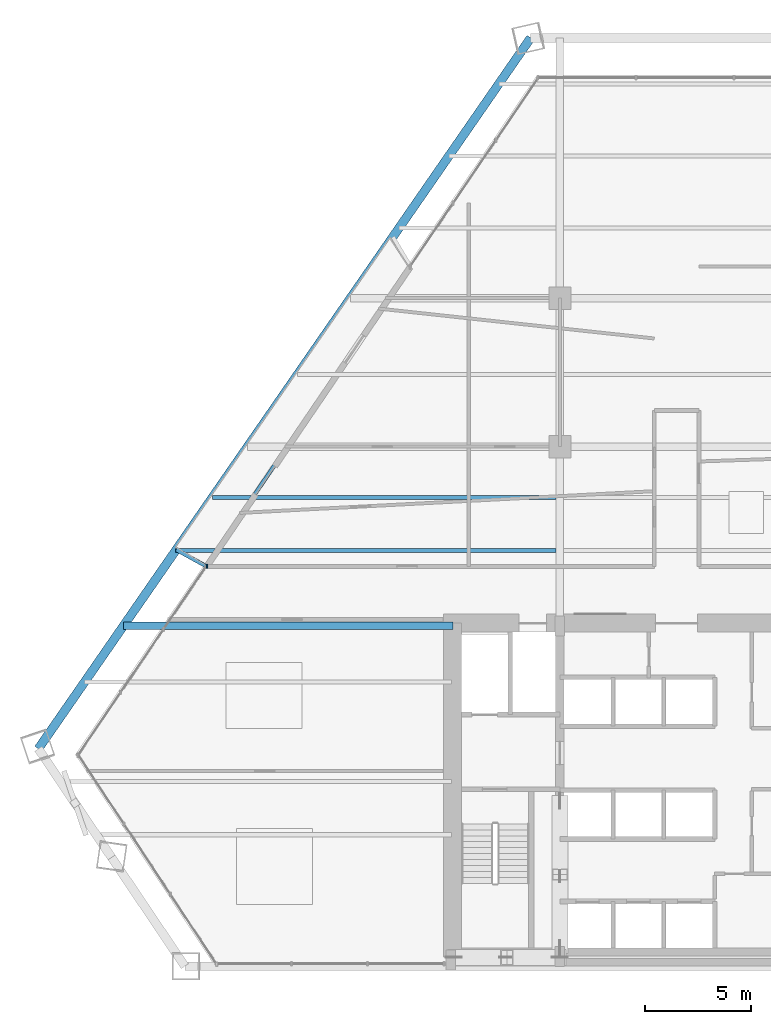
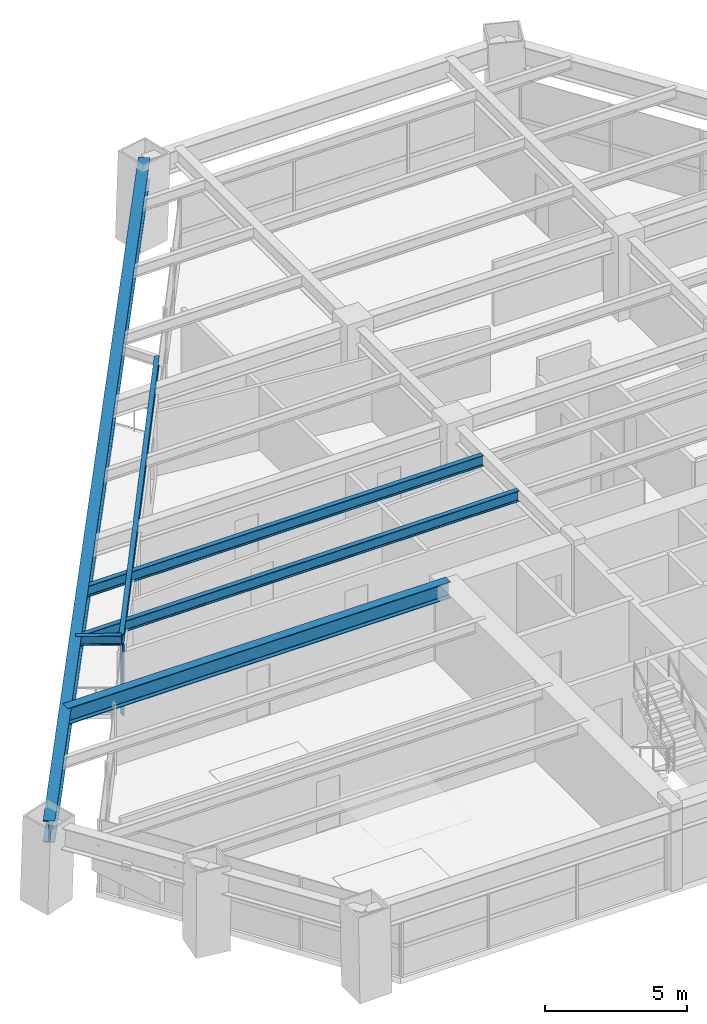
# One storey, part 4 of 14: 6 beams, 1 member, 1 element without a shape of its own.
"""IFC4 building model written with IfcOpenShell, lengths in metres."""

from ifc_helpers import new_model, si_unit, direction, frame, origin, origin_2d, place, context, subcontext, project, spatial, rectangle, i_section, extrude, source, transform, mapped, material, material_profile, profile_set, type_object, type_shapes, element, aggregate, save


model = new_model("IFC4")

# Units and contexts
model_context = context("Model", 3, precision=1e-05, world=origin(), true_north=direction((0.0, 1.0)))
body_context = subcontext(model_context, "Body", "Model", "MODEL_VIEW")
ifc_project = project(units=[si_unit("LENGTHUNIT", "METRE"), si_unit("AREAUNIT", "SQUARE_METRE"), si_unit("VOLUMEUNIT", "CUBIC_METRE"), si_unit("PLANEANGLEUNIT", "RADIAN"), si_unit("MASSUNIT", "GRAM", prefix="KILO")], contexts=[model_context])

# Site, building, storey
site_placement = place(None, origin())
site = spatial("IfcSite", under=ifc_project, at=site_placement, CompositionType="ELEMENT")
building_placement = place(site_placement, origin())
building = spatial("IfcBuilding", under=site, at=building_placement, Name="Varnakhor Terracotta Tower", CompositionType="ELEMENT")
storey_placement = place(building_placement, frame((0.0, 0.0, 64.5)))
storey = spatial("IfcBuildingStorey", under=building, at=storey_placement, Name="L15", CompositionType="ELEMENT", Elevation=64.5)

# Beams
ifc_material_1 = material(Name="Steel S355", Category="steel")
ifc_material_profile_1 = material_profile(ifc_material_1, i_section(OverallWidth=0.41796875, OverallDepth=0.927001953125, WebThickness=0.01904296875, FlangeThickness=0.031982421875, FilletRadius=0.01806640625, at=origin_2d()), Name="W36X231")
ifc_profile_set_1 = profile_set([ifc_material_profile_1], Name="Steel S355")
beam_type_1 = type_object("IfcBeamType", Name="BM-W36X231", PredefinedType="BEAM", material=ifc_profile_set_1)
shared_shape_1 = source(origin(), body_context, "Body", "SweptSolid", [
    extrude(i_section(OverallWidth=0.41796875, OverallDepth=0.927001953125, WebThickness=0.01904296875, FlangeThickness=0.031982421875, FilletRadius=0.01806640625, at=origin_2d()), origin(), (0.0, 0.0, 1.0), 40.7744140625),
])
beam_1_placement = place(storey_placement, frame((-6.876953125, 43.77490234375, 2.986572265625), z_axis=(-0.569365957291, -0.822084184666, 0.0), x_axis=(0.822084184666, -0.569365957291, 0.0)))
element("IfcBeam", 1, at=beam_1_placement, inside=storey, type_object=beam_type_1, Name="L15 Perimeter Spandrel 6", PredefinedType="BEAM", context=body_context, shape_type="MappedRepresentation", body=[
    mapped(shared_shape_1, transform((0.0, 0.0, 0.0), scale=1.0)),
])
ifc_material_profile_2 = material_profile(ifc_material_1, i_section(OverallWidth=0.179931640625, OverallDepth=0.39990234375, WebThickness=0.008544921875, FlangeThickness=0.013427734375, FilletRadius=0.01806640625, at=origin_2d()), Name="IPE400")
ifc_profile_set_2 = profile_set([ifc_material_profile_2], Name="Steel S355")
beam_type_2 = type_object("IfcBeamType", Name="JST-IPE400", PredefinedType="JOIST", material=ifc_profile_set_2)
shared_shape_2 = source(origin(), body_context, "Body", "SweptSolid", [
    extrude(i_section(OverallWidth=0.179931640625, OverallDepth=0.39990234375, WebThickness=0.008544921875, FlangeThickness=0.013427734375, FilletRadius=0.01806640625, at=origin_2d()), origin(), (0.0, 0.0, 1.0), 17.123779296875),
])
beam_2_placement = place(storey_placement, frame((-12.56640625, 33.03173828125, 3.25), z_axis=(-0.56174091886, -0.827313205551, 0.0), x_axis=(0.827313205551, -0.56174091886, 0.0)))
element("IfcBeam", 2, at=beam_2_placement, inside=storey, type_object=beam_type_2, Name="L15 Loggia Edge Beam 2", PredefinedType="JOIST", context=body_context, shape_type="MappedRepresentation", body=[
    mapped(shared_shape_2, transform((0.0, 0.0, 0.0), scale=1.0)),
])
ifc_material_profile_3 = material_profile(ifc_material_1, i_section(OverallWidth=0.35498046875, OverallDepth=0.695068359375, WebThickness=0.014892578125, FlangeThickness=0.02490234375, FilletRadius=0.01806640625, at=origin_2d()), Name="W27X146")
ifc_profile_set_3 = profile_set([ifc_material_profile_3], Name="Steel S355")
beam_type_3 = type_object("IfcBeamType", Name="BM-W27X146", PredefinedType="BEAM", material=ifc_profile_set_3)
shared_shape_3 = source(origin(), body_context, "Body", "SweptSolid", [
    extrude(i_section(OverallWidth=0.35498046875, OverallDepth=0.695068359375, WebThickness=0.014892578125, FlangeThickness=0.02490234375, FilletRadius=0.01806640625, at=origin_2d()), origin(), (0.0, 0.0, 1.0), 15.52880859375),
])
beam_3_placement = place(storey_placement, frame((-26.078857421875, 16.050048828125, 3.1025390625), z_axis=(1.0, 0.0, 0.0), x_axis=(0.0, 1.0, 0.0)))
element("IfcBeam", 3, at=beam_3_placement, inside=storey, type_object=beam_type_3, Name="L15 Wing Girder W", PredefinedType="BEAM", context=body_context, shape_type="MappedRepresentation", body=[
    mapped(shared_shape_3, transform((0.0, 0.0, 0.0), scale=1.0)),
])
ifc_material_profile_4 = material_profile(ifc_material_1, i_section(OverallWidth=0.19189453125, OverallDepth=0.462890625, WebThickness=0.010498046875, FlangeThickness=0.017578125, FilletRadius=0.01806640625, at=origin_2d()), Name="W18X60")
ifc_profile_set_4 = profile_set([ifc_material_profile_4], Name="Steel S355")
beam_type_4 = type_object("IfcBeamType", Name="JST-W18X60", PredefinedType="JOIST", material=ifc_profile_set_4)
shared_shape_4 = source(origin(), body_context, "Body", "SweptSolid", [
    extrude(i_section(OverallWidth=0.19189453125, OverallDepth=0.462890625, WebThickness=0.010498046875, FlangeThickness=0.017578125, FilletRadius=0.01806640625, at=origin_2d()), origin(), (0.0, 0.0, 1.0), 17.946533203125),
])
beam_4_placement = place(storey_placement, frame((-23.6201171875, 19.60009765625, 3.218505859375), z_axis=(1.0, 0.0, 0.0), x_axis=(0.0, 1.0, 0.0)))
element("IfcBeam", 4, at=beam_4_placement, inside=storey, type_object=beam_type_4, Name="L15 Composite Floor Joist 4-1", PredefinedType="JOIST", context=body_context, shape_type="MappedRepresentation", body=[
    mapped(shared_shape_4, transform((0.0, 0.0, 0.0), scale=1.0)),
])
shared_shape_5 = source(origin(), body_context, "Body", "SweptSolid", [
    extrude(i_section(OverallWidth=0.19189453125, OverallDepth=0.462890625, WebThickness=0.010498046875, FlangeThickness=0.017578125, FilletRadius=0.01806640625, at=origin_2d()), origin(), (0.0, 0.0, 1.0), 16.215087890625),
])
beam_5_placement = place(storey_placement, frame((-21.888671875, 22.10009765625, 3.218505859375), z_axis=(1.0, 0.0, 0.0), x_axis=(0.0, 1.0, 0.0)))
element("IfcBeam", 5, at=beam_5_placement, inside=storey, type_object=beam_type_4, Name="L15 Composite Floor Joist 5-1", PredefinedType="JOIST", context=body_context, shape_type="MappedRepresentation", body=[
    mapped(shared_shape_5, transform((0.0, 0.0, 0.0), scale=1.0)),
])

# Curtain wall, member
ifc_material_2 = material(Name="Anodised Aluminium Curtain Wall System", Category="aluminium")
curtain_wall_type = type_object("IfcCurtainWallType", Name="CW-SYS-LOW-OFFICE", PredefinedType="NOTDEFINED", material=ifc_material_2)
curtain_wall_placement = place(storey_placement, origin())
curtain_wall = element("IfcCurtainWall", 6, at=curtain_wall_placement, inside=storey, type_object=curtain_wall_type, Name="L15 W Facet Curtain Wall 1", PredefinedType="NOTDEFINED")
ifc_material_3 = material(Name="Anodised Aluminium 6063-T6", Category="aluminium")
ifc_material_profile_5 = material_profile(ifc_material_3, rectangle(XDim=0.074951171875, YDim=0.18505859375, at=origin_2d()), Name="ALU MULLION 75x185")
ifc_profile_set_5 = profile_set([ifc_material_profile_5], Name="Anodised Aluminium 6063-T6")
member_type = type_object("IfcMemberType", Name="CWM-02", PredefinedType="MULLION", material=ifc_profile_set_5)
shared_shape_6 = source(origin(), body_context, "Body", "SweptSolid", [
    extrude(rectangle(XDim=0.074951171875, YDim=0.18505859375, at=origin_2d()), origin(), (0.0, 0.0, 1.0), 3.030029296875),
])
type_shapes(member_type, [shared_shape_6])
member_placement = place(storey_placement, frame((-22.140869140625, 18.8681640625, 0.0), z_axis=(0.0, 0.0, 1.0), x_axis=(1.0, 0.0, 0.0)))
member = element("IfcMember", 7, at=member_placement, type_object=member_type, Name="L15 W Loggia Jamb Closure Mullion 1", PredefinedType="MULLION", context=body_context, shape_type="MappedRepresentation", body=[
    mapped(shared_shape_6, transform((0.0, 0.0, 0.0), scale=1.0)),
])
aggregate(curtain_wall, [member])

# Beam
shared_shape_7 = source(origin(), body_context, "Body", "SweptSolid", [
    extrude(i_section(OverallWidth=0.179931640625, OverallDepth=0.39990234375, WebThickness=0.008544921875, FlangeThickness=0.013427734375, FilletRadius=0.01806640625, at=origin_2d()), origin(), (0.0, 0.0, 1.0), 1.606201171875),
])
beam_6_placement = place(storey_placement, frame((-22.185546875, 18.864990234375, 3.25), z_axis=(-0.875772693274, 0.482723719861, 0.0), x_axis=(-0.482723719861, -0.875772693274, 0.0)))
element("IfcBeam", 8, at=beam_6_placement, inside=storey, type_object=beam_type_2, Name="L16 W Loggia Tie Beam 1", PredefinedType="JOIST", context=body_context, shape_type="MappedRepresentation", body=[
    mapped(shared_shape_7, transform((0.0, 0.0, 0.0), scale=1.0)),
])

save(model, "model.ifc")
